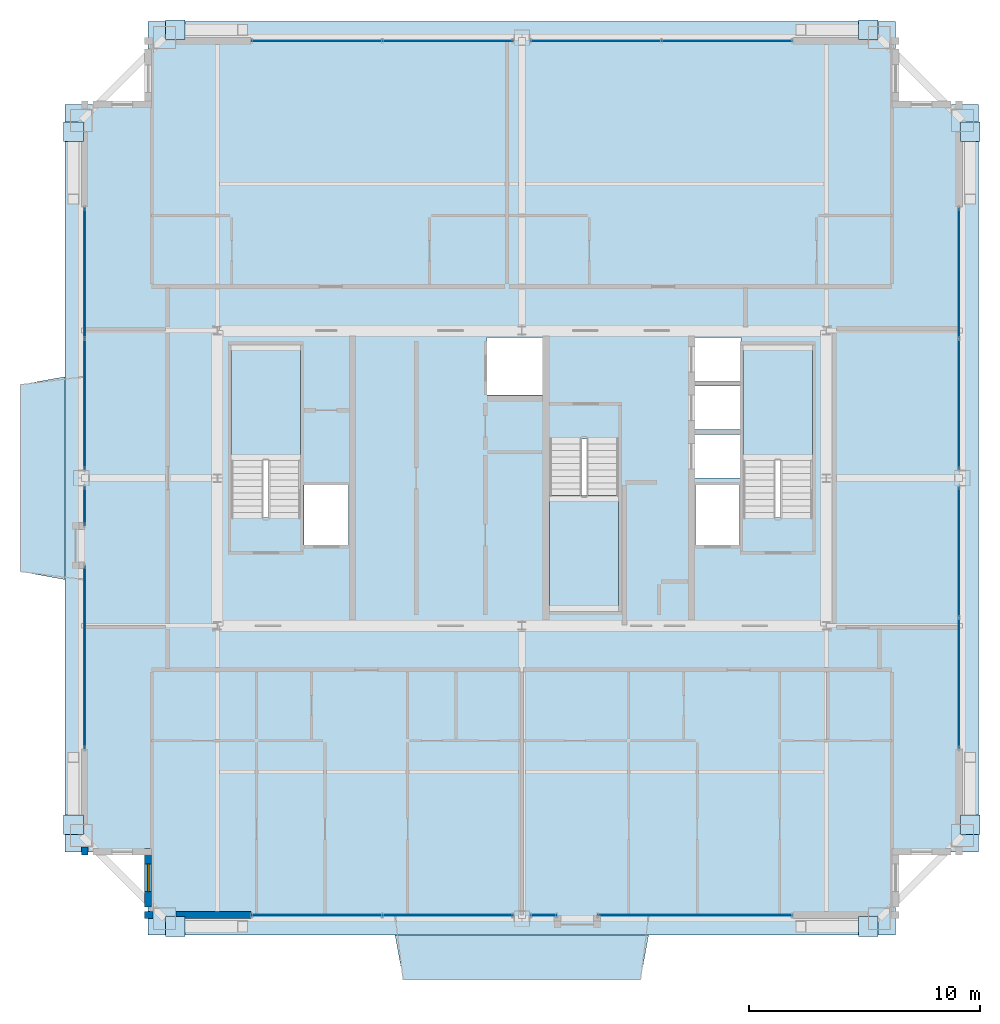
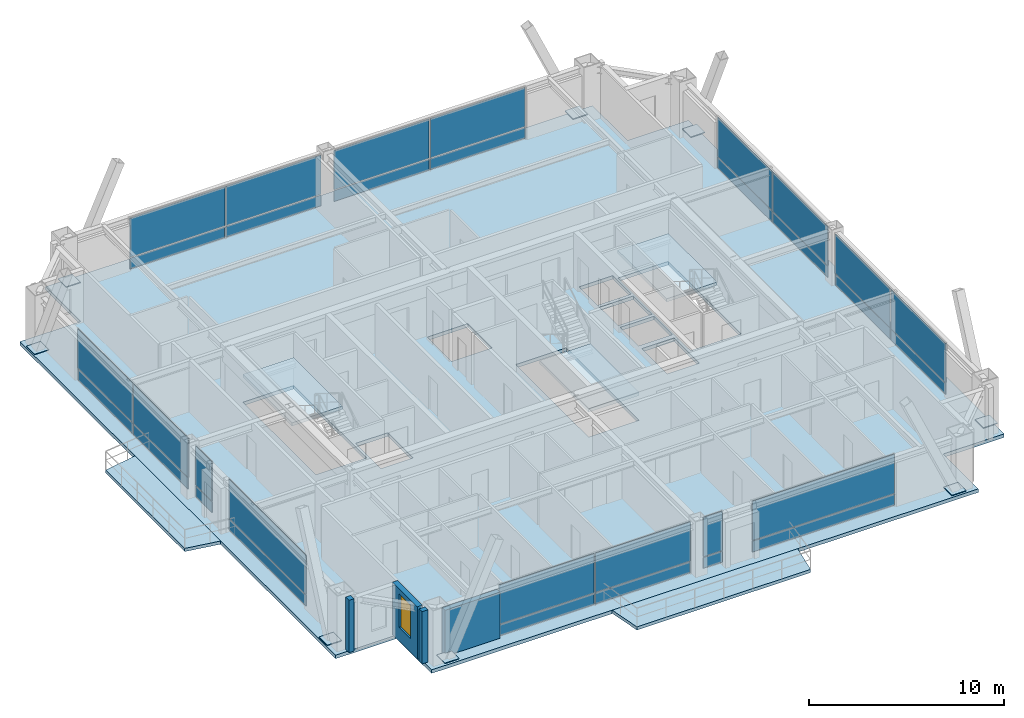
# One storey, part 27 of 33: 40 plates, 6 slabs, 4 walls, 1 window, 1 opening, 13 elements without a shape of their own.
"""IFC4 building model written with IfcOpenShell, lengths in metres."""

from ifc_helpers import new_model, si_unit, direction, frame, frame_2d, origin, origin_2d, place, context, subcontext, project, spatial, polyline, rectangle, outline, extrude, source, transform, mapped, material, layer, layer_set, type_object, element, fill, aggregate, save


model = new_model("IFC4")

# Units and contexts
model_context = context("Model", 3, precision=1e-05, world=origin(), true_north=direction((0.0, 1.0)))
body_context = subcontext(model_context, "Body", "Model", "MODEL_VIEW")
ifc_project = project(units=[si_unit("LENGTHUNIT", "METRE"), si_unit("AREAUNIT", "SQUARE_METRE"), si_unit("VOLUMEUNIT", "CUBIC_METRE"), si_unit("PLANEANGLEUNIT", "RADIAN"), si_unit("MASSUNIT", "GRAM", prefix="KILO"), si_unit("THERMODYNAMICTEMPERATUREUNIT", "KELVIN"), si_unit("POWERUNIT", "WATT")], contexts=[model_context])

# Site, building, storey
site_placement = place(None, origin())
site = spatial("IfcSite", under=ifc_project, at=site_placement, CompositionType="ELEMENT")
building_placement = place(site_placement, origin())
building = spatial("IfcBuilding", under=site, at=building_placement, Name="Yuzanri Waterfront Tower", CompositionType="ELEMENT")
storey_placement = place(building_placement, frame((0.0, 0.0, 321.699951171875)))
storey = spatial("IfcBuildingStorey", under=building, at=storey_placement, Name="L86", CompositionType="ELEMENT", Elevation=321.699951171875)

# Slabs
ifc_material_1 = material(Name="Concrete C40", Category="concrete")
ifc_layer_1 = layer(ifc_material_1, 0.199951171875)
ifc_layer_set_1 = layer_set([ifc_layer_1], Name="Concrete C40")
slab_type_1 = type_object("IfcSlabType", Name="Concrete C40 Cantilevered Engawa Wave Terrace Slab 200", PredefinedType="FLOOR", material=ifc_layer_set_1)
slab_1_placement = place(storey_placement, frame((0.0, 0.0, -0.199951171875)))
element("IfcSlab", 1, at=slab_1_placement, inside=storey, type_object=slab_type_1, Name="L86 S Cantilevered Engawa Terrace Slab", PredefinedType="FLOOR", context=body_context, shape_type="SweptSolid", body=[
    extrude(outline(polyline([(31.50341796875, 6.0), (42.49658203125, 6.0), (42.146484375, 4.06591796875), (31.853515625, 4.06591796875), (31.50341796875, 6.0)])), origin(), (0.0, 0.0, 1.0), 0.199951171875),
])
slab_2_placement = place(storey_placement, frame((0.0, 0.0, -0.199951171875)))
element("IfcSlab", 2, at=slab_2_placement, inside=storey, type_object=slab_type_1, Name="L86 W Cantilevered Engawa Terrace Slab", PredefinedType="FLOOR", context=body_context, shape_type="SweptSolid", body=[
    extrude(outline(polyline([(17.199951171875, 21.39990234375), (15.26611328125, 21.75), (15.26611328125, 29.85009765625), (17.199951171875, 30.199951171875), (17.199951171875, 21.39990234375)])), origin(), (0.0, 0.0, 1.0), 0.199951171875),
])

# Stair, slab
ifc_material_2 = material(Name="Concrete C40", Category="concrete")
stair_type = type_object("IfcStairType", Name="Concrete C40 Core Dogleg Exit Stair", PredefinedType="HALF_TURN_STAIR", material=ifc_material_2)
stair_1_placement = place(storey_placement, origin())
stair_1 = element("IfcStair", 3, at=stair_1_placement, inside=storey, type_object=stair_type, Name="L86 Smoke-Proof Core Stair ST-01", PredefinedType="HALF_TURN_STAIR")
ifc_material_3 = material(Name="Concrete C40", Category="concrete")
ifc_layer_2 = layer(ifc_material_3, 0.179931640625)
ifc_layer_set_2 = layer_set([ifc_layer_2], Name="Concrete C40")
slab_type_2 = type_object("IfcSlabType", Name="Concrete C40 Stair Half-Landing Slab 180", PredefinedType="LANDING", material=ifc_layer_set_2)
slab_3_placement = place(storey_placement, frame((0.0, 0.0, 1.550048828125)))
slab_3 = element("IfcSlab", 4, at=slab_3_placement, type_object=slab_type_2, Name="ST-01 landing 1", PredefinedType="LANDING", context=body_context, shape_type="SweptSolid", body=[
    extrude(outline(polyline([(27.39990234375, 26.56005859375), (27.39990234375, 31.580078125), (24.39990234375, 31.580078125), (24.39990234375, 26.56005859375), (27.39990234375, 26.56005859375)])), origin(), (0.0, 0.0, 1.0), 0.199951171875),
])
aggregate(stair_1, [slab_3])

stair_2_placement = place(storey_placement, origin())
stair_2 = element("IfcStair", 5, at=stair_2_placement, inside=storey, type_object=stair_type, Name="L86 Smoke-Proof Core Stair ST-02", PredefinedType="HALF_TURN_STAIR")
slab_4_placement = place(storey_placement, frame((0.0, 0.0, 1.550048828125)))
slab_4 = element("IfcSlab", 6, at=slab_4_placement, type_object=slab_type_2, Name="ST-02 landing 1", PredefinedType="LANDING", context=body_context, shape_type="SweptSolid", body=[
    extrude(outline(polyline([(49.60009765625, 26.56005859375), (49.60009765625, 31.580078125), (46.60009765625, 31.580078125), (46.60009765625, 26.56005859375), (49.60009765625, 26.56005859375)])), origin(), (0.0, 0.0, 1.0), 0.199951171875),
])
aggregate(stair_2, [slab_4])

stair_3_placement = place(storey_placement, origin())
stair_3 = element("IfcStair", 7, at=stair_3_placement, inside=storey, type_object=stair_type, Name="L86 Smoke-Proof Core Stair ST-03", PredefinedType="HALF_TURN_STAIR")
slab_5_placement = place(storey_placement, frame((0.0, 0.0, 1.550048828125)))
slab_5 = element("IfcSlab", 8, at=slab_5_placement, type_object=slab_type_2, Name="ST-03 landing 1", PredefinedType="LANDING", context=body_context, shape_type="SweptSolid", body=[
    extrude(outline(polyline([(38.199951171875, 25.0400390625), (38.199951171875, 20.02001953125), (41.199951171875, 20.02001953125), (41.199951171875, 25.0400390625), (38.199951171875, 25.0400390625)])), origin(), (0.0, 0.0, 1.0), 0.199951171875),
])
aggregate(stair_3, [slab_5])

# Slab
ifc_material_4 = material(Name="Concrete C40", Category="concrete")
ifc_layer_3 = layer(ifc_material_4, 0.219970703125)
ifc_layer_set_3 = layer_set([ifc_layer_3], Name="Concrete C40")
slab_type_3 = type_object("IfcSlabType", Name="Concrete C40 Tower Typical Structural Floor Slab 220", PredefinedType="FLOOR", material=ifc_layer_set_3)
slab_6_placement = place(storey_placement, frame((0.0, 0.0, -0.219970703125)))
element("IfcSlab", 9, at=slab_6_placement, inside=storey, type_object=slab_type_3, Name="L86 Main Structural Floor Slab", PredefinedType="FLOOR", context=body_context, shape_type="SweptSolid", body=[
    extrude(outline(polyline([(20.800048828125, 6.0), (53.199951171875, 6.0), (53.199951171875, 9.60009765625), (56.800048828125, 9.60009765625), (56.800048828125, 42.0), (53.199951171875, 42.0), (53.199951171875, 45.60009765625), (20.800048828125, 45.60009765625), (20.800048828125, 42.0), (17.199951171875, 42.0), (17.199951171875, 9.60009765625), (20.800048828125, 9.60009765625), (20.800048828125, 6.0)]), holes=[polyline([(27.39990234375, 24.10009765625), (27.39990234375, 31.580078125), (24.39990234375, 31.580078125), (24.39990234375, 24.10009765625), (27.39990234375, 24.10009765625)]), polyline([(49.60009765625, 24.10009765625), (49.60009765625, 31.580078125), (46.60009765625, 31.580078125), (46.60009765625, 24.10009765625), (49.60009765625, 24.10009765625)]), polyline([(38.199951171875, 27.5), (38.199951171875, 20.02001953125), (41.199951171875, 20.02001953125), (41.199951171875, 27.5), (38.199951171875, 27.5)]), polyline([(27.56005859375, 22.89990234375), (29.47998046875, 22.89990234375), (29.47998046875, 25.5), (27.56005859375, 25.5), (27.56005859375, 22.89990234375)]), polyline([(44.52001953125, 22.89990234375), (46.43994140625, 22.89990234375), (46.43994140625, 25.5), (44.52001953125, 25.5), (44.52001953125, 22.89990234375)]), polyline([(35.5, 29.39990234375), (37.89990234375, 29.39990234375), (37.89990234375, 31.89990234375), (35.5, 31.89990234375), (35.5, 29.39990234375)]), polyline([(44.5, 25.800048828125), (46.5, 25.800048828125), (46.5, 27.699951171875), (44.5, 27.699951171875), (44.5, 25.800048828125)]), polyline([(44.5, 27.89990234375), (46.5, 27.89990234375), (46.5, 29.800048828125), (44.5, 29.800048828125), (44.5, 27.89990234375)]), polyline([(44.5, 30.0), (46.5, 30.0), (46.5, 31.89990234375), (44.5, 31.89990234375), (44.5, 30.0)])]), origin(), (0.0, 0.0, 1.0), 0.219970703125),
])

# Plates
ifc_material_5 = material(Name="Steel Q420GJC", Category="steel")
ifc_layer_4 = layer(ifc_material_5, 0.0400390625)
ifc_layer_set_4 = layer_set([ifc_layer_4], Name="Steel Q420GJC")
plate_type_1 = type_object("IfcPlateType", Name="Steel Q420GJC Mega-Brace Gusset and End-Cap Plate 40", PredefinedType="SHEET", material=ifc_layer_set_4)
shared_shape_1 = source(origin(), body_context, "Body", "SweptSolid", [
    extrude(rectangle(XDim=0.85009765625, YDim=0.85009765625, at=origin_2d()), origin(), (0.0, 0.0, 1.0), 0.0400390625),
])
for number, where, z_axis, x_axis, name in (
    (10, (21.97998046875, 6.360107421875, 0.159912109375), (0.0, 0.0, 1.0), (1.0, 0.0, 0.0), "L86 Mega-Brace Foot Cap Plate S-L"),
    (11, (52.02001953125, 6.360107421875, 0.159912109375), (0.0, 0.0, 1.0), (1.0, 0.0, 0.0), "L86 Mega-Brace Foot Cap Plate S-R"),
    (12, (21.97998046875, 45.239990234375, 0.159912109375), (0.0, 0.0, 1.0), (1.0, 0.0, 0.0), "L86 Mega-Brace Foot Cap Plate N-L"),
    (13, (52.02001953125, 45.239990234375, 0.159912109375), (0.0, 0.0, 1.0), (1.0, 0.0, 0.0), "L86 Mega-Brace Foot Cap Plate N-R"),
    (14, (17.56005859375, 10.780029296875, 0.159912109375), (0.0, 0.0, 1.0), (1.0, 0.0, 0.0), "L86 Mega-Brace Foot Cap Plate W-L"),
    (15, (17.56005859375, 40.820068359375, 0.159912109375), (0.0, 0.0, 1.0), (1.0, 0.0, 0.0), "L86 Mega-Brace Foot Cap Plate W-R"),
    (16, (56.43994140625, 10.780029296875, 0.159912109375), (0.0, 0.0, 1.0), (1.0, 0.0, 0.0), "L86 Mega-Brace Foot Cap Plate E-L"),
    (17, (56.43994140625, 40.820068359375, 0.159912109375), (0.0, 0.0, 1.0), (1.0, 0.0, 0.0), "L86 Mega-Brace Foot Cap Plate E-R"),
):
    element("IfcPlate", number, at=place(storey_placement, frame(where, z_axis=z_axis, x_axis=x_axis)), inside=storey, type_object=plate_type_1, Name=name, PredefinedType="SHEET", context=body_context, shape_type="MappedRepresentation", body=[
        mapped(shared_shape_1, transform((0.0, 0.0, 0.0), scale=1.0)),
    ])

# Curtain wall, plates
ifc_material_6 = material(Name="Anodized Architectural Bronze", Category="metal")
ifc_layer_5 = layer(ifc_material_6, 0.159912109375)
ifc_layer_set_5 = layer_set([ifc_layer_5], Name="Anodized Architectural Bronze")
curtain_wall_type = type_object("IfcCurtainWallType", Name="Anodized Bronze High-Rise Penthouse High-Wind Unitized Curtain Wall 6900", PredefinedType="NOTDEFINED", material=ifc_layer_set_5)
curtain_wall_1_placement = place(storey_placement, origin())
curtain_wall_1 = element("IfcCurtainWall", 18, at=curtain_wall_1_placement, inside=storey, type_object=curtain_wall_type, Name="L86 Curtain Wall CW-L86-SL", PredefinedType="NOTDEFINED")
ifc_material_7 = material(Name="Anodized Architectural Bronze", Category="metal")
ifc_layer_6 = layer(ifc_material_7, 0.028076171875)
ifc_layer_set_6 = layer_set([ifc_layer_6], Name="Anodized Architectural Bronze")
plate_type_2 = type_object("IfcPlateType", Name="Bronze Insulated Spandrel Shadow-Box Panel 28", PredefinedType="CURTAIN_PANEL", material=ifc_layer_set_6)
shared_shape_2 = source(origin(), body_context, "Body", "SweptSolid", [
    extrude(rectangle(XDim=5.6201171875, YDim=0.028076171875, at=origin_2d()), origin(), (0.0, 0.0, 1.0), 0.674072265625),
])
plate_1_placement = place(storey_placement, frame((28.10009765625, 6.85009765625, 0.0498046875), z_axis=(0.0, 0.0, 1.0), x_axis=(1.0, 0.0, 0.0)))
plate_1 = element("IfcPlate", 19, at=plate_1_placement, type_object=plate_type_2, Name="CW-L86-SL Spandrel Panel 01", PredefinedType="CURTAIN_PANEL", context=body_context, shape_type="MappedRepresentation", body=[
    mapped(shared_shape_2, transform((0.0, 0.0, 0.0), scale=1.0)),
])
plate_2_placement = place(storey_placement, frame((33.800048828125, 6.85009765625, 0.0498046875), z_axis=(0.0, 0.0, 1.0), x_axis=(1.0, 0.0, 0.0)))
plate_2 = element("IfcPlate", 20, at=plate_2_placement, type_object=plate_type_2, Name="CW-L86-SL Spandrel Panel 02", PredefinedType="CURTAIN_PANEL", context=body_context, shape_type="MappedRepresentation", body=[
    mapped(shared_shape_2, transform((0.0, 0.0, 0.0), scale=1.0)),
])

curtain_wall_2_placement = place(storey_placement, origin())
curtain_wall_2 = element("IfcCurtainWall", 21, at=curtain_wall_2_placement, inside=storey, type_object=curtain_wall_type, Name="L86 Curtain Wall CW-L86-NL", PredefinedType="NOTDEFINED")
plate_3_placement = place(storey_placement, frame((28.10009765625, 44.75, 0.0498046875), z_axis=(0.0, 0.0, 1.0), x_axis=(1.0, 0.0, 0.0)))
plate_3 = element("IfcPlate", 22, at=plate_3_placement, type_object=plate_type_2, Name="CW-L86-NL Spandrel Panel 01", PredefinedType="CURTAIN_PANEL", context=body_context, shape_type="MappedRepresentation", body=[
    mapped(shared_shape_2, transform((0.0, 0.0, 0.0), scale=1.0)),
])
plate_4_placement = place(storey_placement, frame((33.800048828125, 44.75, 0.0498046875), z_axis=(0.0, 0.0, 1.0), x_axis=(1.0, 0.0, 0.0)))
plate_4 = element("IfcPlate", 23, at=plate_4_placement, type_object=plate_type_2, Name="CW-L86-NL Spandrel Panel 02", PredefinedType="CURTAIN_PANEL", context=body_context, shape_type="MappedRepresentation", body=[
    mapped(shared_shape_2, transform((0.0, 0.0, 0.0), scale=1.0)),
])

curtain_wall_3_placement = place(storey_placement, origin())
curtain_wall_3 = element("IfcCurtainWall", 24, at=curtain_wall_3_placement, inside=storey, type_object=curtain_wall_type, Name="L86 Curtain Wall CW-L86-NR", PredefinedType="NOTDEFINED")
plate_5_placement = place(storey_placement, frame((40.199951171875, 44.75, 0.0498046875), z_axis=(0.0, 0.0, 1.0), x_axis=(1.0, 0.0, 0.0)))
plate_5 = element("IfcPlate", 25, at=plate_5_placement, type_object=plate_type_2, Name="CW-L86-NR Spandrel Panel 01", PredefinedType="CURTAIN_PANEL", context=body_context, shape_type="MappedRepresentation", body=[
    mapped(shared_shape_2, transform((0.0, 0.0, 0.0), scale=1.0)),
])
plate_6_placement = place(storey_placement, frame((45.89990234375, 44.75, 0.0498046875), z_axis=(0.0, 0.0, 1.0), x_axis=(1.0, 0.0, 0.0)))
plate_6 = element("IfcPlate", 26, at=plate_6_placement, type_object=plate_type_2, Name="CW-L86-NR Spandrel Panel 02", PredefinedType="CURTAIN_PANEL", context=body_context, shape_type="MappedRepresentation", body=[
    mapped(shared_shape_2, transform((0.0, 0.0, 0.0), scale=1.0)),
])

curtain_wall_4_placement = place(storey_placement, origin())
curtain_wall_4 = element("IfcCurtainWall", 27, at=curtain_wall_4_placement, inside=storey, type_object=curtain_wall_type, Name="L86 Curtain Wall CW-L86-WR", PredefinedType="NOTDEFINED")
plate_7_placement = place(storey_placement, frame((18.050048828125, 29.0, 0.0498046875), z_axis=(0.0, 0.0, 1.0), x_axis=(0.0, 1.0, 0.0)))
plate_7 = element("IfcPlate", 28, at=plate_7_placement, type_object=plate_type_2, Name="CW-L86-WR Spandrel Panel 01", PredefinedType="CURTAIN_PANEL", context=body_context, shape_type="MappedRepresentation", body=[
    mapped(shared_shape_2, transform((0.0, 0.0, 0.0), scale=1.0)),
])
plate_8_placement = place(storey_placement, frame((18.050048828125, 34.699951171875, 0.0498046875), z_axis=(0.0, 0.0, 1.0), x_axis=(0.0, 1.0, 0.0)))
plate_8 = element("IfcPlate", 29, at=plate_8_placement, type_object=plate_type_2, Name="CW-L86-WR Spandrel Panel 02", PredefinedType="CURTAIN_PANEL", context=body_context, shape_type="MappedRepresentation", body=[
    mapped(shared_shape_2, transform((0.0, 0.0, 0.0), scale=1.0)),
])

curtain_wall_5_placement = place(storey_placement, origin())
curtain_wall_5 = element("IfcCurtainWall", 30, at=curtain_wall_5_placement, inside=storey, type_object=curtain_wall_type, Name="L86 Curtain Wall CW-L86-EL", PredefinedType="NOTDEFINED")
plate_9_placement = place(storey_placement, frame((55.949951171875, 16.89990234375, 0.0498046875), z_axis=(0.0, 0.0, 1.0), x_axis=(0.0, 1.0, 0.0)))
plate_9 = element("IfcPlate", 31, at=plate_9_placement, type_object=plate_type_2, Name="CW-L86-EL Spandrel Panel 01", PredefinedType="CURTAIN_PANEL", context=body_context, shape_type="MappedRepresentation", body=[
    mapped(shared_shape_2, transform((0.0, 0.0, 0.0), scale=1.0)),
])
plate_10_placement = place(storey_placement, frame((55.949951171875, 22.60009765625, 0.0498046875), z_axis=(0.0, 0.0, 1.0), x_axis=(0.0, 1.0, 0.0)))
plate_10 = element("IfcPlate", 32, at=plate_10_placement, type_object=plate_type_2, Name="CW-L86-EL Spandrel Panel 02", PredefinedType="CURTAIN_PANEL", context=body_context, shape_type="MappedRepresentation", body=[
    mapped(shared_shape_2, transform((0.0, 0.0, 0.0), scale=1.0)),
])

curtain_wall_6_placement = place(storey_placement, origin())
curtain_wall_6 = element("IfcCurtainWall", 33, at=curtain_wall_6_placement, inside=storey, type_object=curtain_wall_type, Name="L86 Curtain Wall CW-L86-ER", PredefinedType="NOTDEFINED")
plate_11_placement = place(storey_placement, frame((55.949951171875, 29.0, 0.0498046875), z_axis=(0.0, 0.0, 1.0), x_axis=(0.0, 1.0, 0.0)))
plate_11 = element("IfcPlate", 34, at=plate_11_placement, type_object=plate_type_2, Name="CW-L86-ER Spandrel Panel 01", PredefinedType="CURTAIN_PANEL", context=body_context, shape_type="MappedRepresentation", body=[
    mapped(shared_shape_2, transform((0.0, 0.0, 0.0), scale=1.0)),
])
plate_12_placement = place(storey_placement, frame((55.949951171875, 34.699951171875, 0.0498046875), z_axis=(0.0, 0.0, 1.0), x_axis=(0.0, 1.0, 0.0)))
plate_12 = element("IfcPlate", 35, at=plate_12_placement, type_object=plate_type_2, Name="CW-L86-ER Spandrel Panel 02", PredefinedType="CURTAIN_PANEL", context=body_context, shape_type="MappedRepresentation", body=[
    mapped(shared_shape_2, transform((0.0, 0.0, 0.0), scale=1.0)),
])

# Plate
ifc_material_8 = material(Name="Triple Low-E Laminated Insulated Glass", Category="glass")
ifc_layer_7 = layer(ifc_material_8, 0.0439453125)
ifc_layer_set_7 = layer_set([ifc_layer_7], Name="Triple Low-E Laminated Insulated Glass")
plate_type_3 = type_object("IfcPlateType", Name="Triple Glazed Acoustic Vision Glass Panel 44", PredefinedType="CURTAIN_PANEL", material=ifc_layer_set_7)
shared_shape_3 = source(origin(), body_context, "Body", "SweptSolid", [
    extrude(rectangle(XDim=5.6201171875, YDim=0.0439453125, at=origin_2d()), origin(), (0.0, 0.0, 1.0), 2.446044921875),
])
plate_13_placement = place(storey_placement, frame((28.10009765625, 6.85009765625, 0.7841796875), z_axis=(0.0, 0.0, 1.0), x_axis=(1.0, 0.0, 0.0)))
plate_13 = element("IfcPlate", 36, at=plate_13_placement, type_object=plate_type_3, Name="CW-L86-SL Vision Glass Panel 01", PredefinedType="CURTAIN_PANEL", context=body_context, shape_type="MappedRepresentation", body=[
    mapped(shared_shape_3, transform((0.0, 0.0, 0.0), scale=1.0)),
])

plate_14_placement = place(storey_placement, frame((33.800048828125, 6.85009765625, 0.7841796875), z_axis=(0.0, 0.0, 1.0), x_axis=(1.0, 0.0, 0.0)))
plate_14 = element("IfcPlate", 37, at=plate_14_placement, type_object=plate_type_3, Name="CW-L86-SL Vision Glass Panel 02", PredefinedType="CURTAIN_PANEL", context=body_context, shape_type="MappedRepresentation", body=[
    mapped(shared_shape_3, transform((0.0, 0.0, 0.0), scale=1.0)),
])

aggregate(curtain_wall_1, [plate_1, plate_13, plate_2, plate_14])

plate_15_placement = place(storey_placement, frame((28.10009765625, 44.75, 0.7841796875), z_axis=(0.0, 0.0, 1.0), x_axis=(1.0, 0.0, 0.0)))
plate_15 = element("IfcPlate", 38, at=plate_15_placement, type_object=plate_type_3, Name="CW-L86-NL Vision Glass Panel 01", PredefinedType="CURTAIN_PANEL", context=body_context, shape_type="MappedRepresentation", body=[
    mapped(shared_shape_3, transform((0.0, 0.0, 0.0), scale=1.0)),
])

plate_16_placement = place(storey_placement, frame((33.800048828125, 44.75, 0.7841796875), z_axis=(0.0, 0.0, 1.0), x_axis=(1.0, 0.0, 0.0)))
plate_16 = element("IfcPlate", 39, at=plate_16_placement, type_object=plate_type_3, Name="CW-L86-NL Vision Glass Panel 02", PredefinedType="CURTAIN_PANEL", context=body_context, shape_type="MappedRepresentation", body=[
    mapped(shared_shape_3, transform((0.0, 0.0, 0.0), scale=1.0)),
])

aggregate(curtain_wall_2, [plate_3, plate_15, plate_4, plate_16])

plate_17_placement = place(storey_placement, frame((40.199951171875, 44.75, 0.7841796875), z_axis=(0.0, 0.0, 1.0), x_axis=(1.0, 0.0, 0.0)))
plate_17 = element("IfcPlate", 40, at=plate_17_placement, type_object=plate_type_3, Name="CW-L86-NR Vision Glass Panel 01", PredefinedType="CURTAIN_PANEL", context=body_context, shape_type="MappedRepresentation", body=[
    mapped(shared_shape_3, transform((0.0, 0.0, 0.0), scale=1.0)),
])

plate_18_placement = place(storey_placement, frame((45.89990234375, 44.75, 0.7841796875), z_axis=(0.0, 0.0, 1.0), x_axis=(1.0, 0.0, 0.0)))
plate_18 = element("IfcPlate", 41, at=plate_18_placement, type_object=plate_type_3, Name="CW-L86-NR Vision Glass Panel 02", PredefinedType="CURTAIN_PANEL", context=body_context, shape_type="MappedRepresentation", body=[
    mapped(shared_shape_3, transform((0.0, 0.0, 0.0), scale=1.0)),
])

aggregate(curtain_wall_3, [plate_5, plate_17, plate_6, plate_18])

plate_19_placement = place(storey_placement, frame((18.050048828125, 29.0, 0.7841796875), z_axis=(0.0, 0.0, 1.0), x_axis=(0.0, 1.0, 0.0)))
plate_19 = element("IfcPlate", 42, at=plate_19_placement, type_object=plate_type_3, Name="CW-L86-WR Vision Glass Panel 01", PredefinedType="CURTAIN_PANEL", context=body_context, shape_type="MappedRepresentation", body=[
    mapped(shared_shape_3, transform((0.0, 0.0, 0.0), scale=1.0)),
])

plate_20_placement = place(storey_placement, frame((18.050048828125, 34.699951171875, 0.7841796875), z_axis=(0.0, 0.0, 1.0), x_axis=(0.0, 1.0, 0.0)))
plate_20 = element("IfcPlate", 43, at=plate_20_placement, type_object=plate_type_3, Name="CW-L86-WR Vision Glass Panel 02", PredefinedType="CURTAIN_PANEL", context=body_context, shape_type="MappedRepresentation", body=[
    mapped(shared_shape_3, transform((0.0, 0.0, 0.0), scale=1.0)),
])

aggregate(curtain_wall_4, [plate_7, plate_19, plate_8, plate_20])

plate_21_placement = place(storey_placement, frame((55.949951171875, 16.89990234375, 0.7841796875), z_axis=(0.0, 0.0, 1.0), x_axis=(0.0, 1.0, 0.0)))
plate_21 = element("IfcPlate", 44, at=plate_21_placement, type_object=plate_type_3, Name="CW-L86-EL Vision Glass Panel 01", PredefinedType="CURTAIN_PANEL", context=body_context, shape_type="MappedRepresentation", body=[
    mapped(shared_shape_3, transform((0.0, 0.0, 0.0), scale=1.0)),
])

plate_22_placement = place(storey_placement, frame((55.949951171875, 22.60009765625, 0.7841796875), z_axis=(0.0, 0.0, 1.0), x_axis=(0.0, 1.0, 0.0)))
plate_22 = element("IfcPlate", 45, at=plate_22_placement, type_object=plate_type_3, Name="CW-L86-EL Vision Glass Panel 02", PredefinedType="CURTAIN_PANEL", context=body_context, shape_type="MappedRepresentation", body=[
    mapped(shared_shape_3, transform((0.0, 0.0, 0.0), scale=1.0)),
])

aggregate(curtain_wall_5, [plate_9, plate_21, plate_10, plate_22])

plate_23_placement = place(storey_placement, frame((55.949951171875, 29.0, 0.7841796875), z_axis=(0.0, 0.0, 1.0), x_axis=(0.0, 1.0, 0.0)))
plate_23 = element("IfcPlate", 46, at=plate_23_placement, type_object=plate_type_3, Name="CW-L86-ER Vision Glass Panel 01", PredefinedType="CURTAIN_PANEL", context=body_context, shape_type="MappedRepresentation", body=[
    mapped(shared_shape_3, transform((0.0, 0.0, 0.0), scale=1.0)),
])

plate_24_placement = place(storey_placement, frame((55.949951171875, 34.699951171875, 0.7841796875), z_axis=(0.0, 0.0, 1.0), x_axis=(0.0, 1.0, 0.0)))
plate_24 = element("IfcPlate", 47, at=plate_24_placement, type_object=plate_type_3, Name="CW-L86-ER Vision Glass Panel 02", PredefinedType="CURTAIN_PANEL", context=body_context, shape_type="MappedRepresentation", body=[
    mapped(shared_shape_3, transform((0.0, 0.0, 0.0), scale=1.0)),
])

aggregate(curtain_wall_6, [plate_11, plate_23, plate_12, plate_24])

# Curtain wall, plates
curtain_wall_7_placement = place(storey_placement, origin())
curtain_wall_7 = element("IfcCurtainWall", 48, at=curtain_wall_7_placement, inside=storey, type_object=curtain_wall_type, Name="L86 Curtain Wall CW-L86-WL1", PredefinedType="NOTDEFINED")
shared_shape_4 = source(origin(), body_context, "Body", "SweptSolid", [
    extrude(rectangle(XDim=7.89501953125, YDim=0.028076171875, at=origin_2d()), origin(), (0.0, 0.0, 1.0), 0.674072265625),
])
plate_25_placement = place(storey_placement, frame((18.050048828125, 18.03759765625, 0.0498046875), z_axis=(0.0, 0.0, 1.0), x_axis=(0.0, 1.0, 0.0)))
plate_25 = element("IfcPlate", 49, at=plate_25_placement, type_object=plate_type_2, Name="CW-L86-WL1 Spandrel Panel 01", PredefinedType="CURTAIN_PANEL", context=body_context, shape_type="MappedRepresentation", body=[
    mapped(shared_shape_4, transform((0.0, 0.0, 0.0), scale=1.0)),
])
shared_shape_5 = source(origin(), body_context, "Body", "SweptSolid", [
    extrude(rectangle(XDim=7.89501953125, YDim=0.0439453125, at=origin_2d()), origin(), (0.0, 0.0, 1.0), 2.446044921875),
])
plate_26_placement = place(storey_placement, frame((18.050048828125, 18.03759765625, 0.7841796875), z_axis=(0.0, 0.0, 1.0), x_axis=(0.0, 1.0, 0.0)))
plate_26 = element("IfcPlate", 50, at=plate_26_placement, type_object=plate_type_3, Name="CW-L86-WL1 Vision Glass Panel 01", PredefinedType="CURTAIN_PANEL", context=body_context, shape_type="MappedRepresentation", body=[
    mapped(shared_shape_5, transform((0.0, 0.0, 0.0), scale=1.0)),
])
aggregate(curtain_wall_7, [plate_25, plate_26])

curtain_wall_8_placement = place(storey_placement, origin())
curtain_wall_8 = element("IfcCurtainWall", 51, at=curtain_wall_8_placement, inside=storey, type_object=curtain_wall_type, Name="L86 Curtain Wall CW-L86-WL2", PredefinedType="NOTDEFINED")
shared_shape_6 = source(origin(), body_context, "Body", "SweptSolid", [
    extrude(rectangle(XDim=1.64501953125, YDim=0.028076171875, at=origin_2d()), origin(), (0.0, 0.0, 1.0), 0.674072265625),
])
plate_27_placement = place(storey_placement, frame((18.050048828125, 24.58740234375, 0.0498046875), z_axis=(0.0, 0.0, 1.0), x_axis=(0.0, 1.0, 0.0)))
plate_27 = element("IfcPlate", 52, at=plate_27_placement, type_object=plate_type_2, Name="CW-L86-WL2 Spandrel Panel 01", PredefinedType="CURTAIN_PANEL", context=body_context, shape_type="MappedRepresentation", body=[
    mapped(shared_shape_6, transform((0.0, 0.0, 0.0), scale=1.0)),
])
shared_shape_7 = source(origin(), body_context, "Body", "SweptSolid", [
    extrude(rectangle(XDim=1.64501953125, YDim=0.0439453125, at=origin_2d()), origin(), (0.0, 0.0, 1.0), 2.446044921875),
])
plate_28_placement = place(storey_placement, frame((18.050048828125, 24.58740234375, 0.7841796875), z_axis=(0.0, 0.0, 1.0), x_axis=(0.0, 1.0, 0.0)))
plate_28 = element("IfcPlate", 53, at=plate_28_placement, type_object=plate_type_3, Name="CW-L86-WL2 Vision Glass Panel 01", PredefinedType="CURTAIN_PANEL", context=body_context, shape_type="MappedRepresentation", body=[
    mapped(shared_shape_7, transform((0.0, 0.0, 0.0), scale=1.0)),
])
aggregate(curtain_wall_8, [plate_27, plate_28])

curtain_wall_9_placement = place(storey_placement, origin())
curtain_wall_9 = element("IfcCurtainWall", 54, at=curtain_wall_9_placement, inside=storey, type_object=curtain_wall_type, Name="L86 Curtain Wall CW-L86-SR1", PredefinedType="NOTDEFINED")
shared_shape_8 = source(origin(), body_context, "Body", "SweptSolid", [
    extrude(rectangle(XDim=1.1201171875, YDim=0.028076171875, at=origin_2d()), origin(), (0.0, 0.0, 1.0), 0.674072265625),
])
plate_29_placement = place(storey_placement, frame((37.949951171875, 6.85009765625, 0.0498046875), z_axis=(0.0, 0.0, 1.0), x_axis=(1.0, 0.0, 0.0)))
plate_29 = element("IfcPlate", 55, at=plate_29_placement, type_object=plate_type_2, Name="CW-L86-SR1 Spandrel Panel 01", PredefinedType="CURTAIN_PANEL", context=body_context, shape_type="MappedRepresentation", body=[
    mapped(shared_shape_8, transform((0.0, 0.0, 0.0), scale=1.0)),
])
shared_shape_9 = source(origin(), body_context, "Body", "SweptSolid", [
    extrude(rectangle(XDim=1.1201171875, YDim=0.0439453125, at=origin_2d()), origin(), (0.0, 0.0, 1.0), 2.446044921875),
])
plate_30_placement = place(storey_placement, frame((37.949951171875, 6.85009765625, 0.7841796875), z_axis=(0.0, 0.0, 1.0), x_axis=(1.0, 0.0, 0.0)))
plate_30 = element("IfcPlate", 56, at=plate_30_placement, type_object=plate_type_3, Name="CW-L86-SR1 Vision Glass Panel 01", PredefinedType="CURTAIN_PANEL", context=body_context, shape_type="MappedRepresentation", body=[
    mapped(shared_shape_9, transform((0.0, 0.0, 0.0), scale=1.0)),
])
aggregate(curtain_wall_9, [plate_29, plate_30])

curtain_wall_10_placement = place(storey_placement, origin())
curtain_wall_10 = element("IfcCurtainWall", 57, at=curtain_wall_10_placement, inside=storey, type_object=curtain_wall_type, Name="L86 Curtain Wall CW-L86-SR2", PredefinedType="NOTDEFINED")
shared_shape_10 = source(origin(), body_context, "Body", "SweptSolid", [
    extrude(rectangle(XDim=8.419921875, YDim=0.028076171875, at=origin_2d()), origin(), (0.0, 0.0, 1.0), 0.674072265625),
])
plate_31_placement = place(storey_placement, frame((44.5, 6.85009765625, 0.0498046875), z_axis=(0.0, 0.0, 1.0), x_axis=(1.0, 0.0, 0.0)))
plate_31 = element("IfcPlate", 58, at=plate_31_placement, type_object=plate_type_2, Name="CW-L86-SR2 Spandrel Panel 01", PredefinedType="CURTAIN_PANEL", context=body_context, shape_type="MappedRepresentation", body=[
    mapped(shared_shape_10, transform((0.0, 0.0, 0.0), scale=1.0)),
])
shared_shape_11 = source(origin(), body_context, "Body", "SweptSolid", [
    extrude(rectangle(XDim=8.419921875, YDim=0.0439453125, at=origin_2d()), origin(), (0.0, 0.0, 1.0), 2.446044921875),
])
plate_32_placement = place(storey_placement, frame((44.5, 6.85009765625, 0.7841796875), z_axis=(0.0, 0.0, 1.0), x_axis=(1.0, 0.0, 0.0)))
plate_32 = element("IfcPlate", 59, at=plate_32_placement, type_object=plate_type_3, Name="CW-L86-SR2 Vision Glass Panel 01", PredefinedType="CURTAIN_PANEL", context=body_context, shape_type="MappedRepresentation", body=[
    mapped(shared_shape_11, transform((0.0, 0.0, 0.0), scale=1.0)),
])
aggregate(curtain_wall_10, [plate_31, plate_32])

# Wall, opening, window
ifc_material_9 = material(Name="Honed Chongqing Dark Basalt Stone", Category="masonry")
ifc_layer_8 = layer(ifc_material_9, 0.300048828125)
ifc_layer_set_8 = layer_set([ifc_layer_8], Name="Honed Chongqing Dark Basalt Stone")
wall_type = type_object("IfcWallType", Name="Bronze Rainscreen Insulated Spandrel Portal Wall 300", PredefinedType="SOLIDWALL", material=ifc_layer_set_8)
wall_1_placement = place(storey_placement, frame((20.800048828125, 9.75, 0.0), z_axis=(0.0, 0.0, 1.0), x_axis=(0.0, -1.0, 0.0)))
wall_1 = element("IfcWall", 60, at=wall_1_placement, inside=storey, type_object=wall_type, Name="L86 Notched Corner Masonry Wall SW-Y", PredefinedType="SOLIDWALL", context=body_context, shape_type="SweptSolid", body=[
    extrude(rectangle(XDim=2.550048828125, YDim=0.300048828125, at=frame_2d((1.27490234375, 0.0))), origin(), (0.0, 0.0, 1.0), 3.280029296875),
])
opening_placement = place(wall_1_placement, frame((0.675048828125, 0.0, 0.85009765625)))
opening = element("IfcOpeningElement", 61, at=opening_placement, cuts=wall_1, Name="Opening WN-02", PredefinedType="OPENING", context=body_context, shape_type="SweptSolid", body=[
    extrude(rectangle(XDim=1.199951171875, YDim=2.10009765625, at=frame_2d((0.60009765625, 1.050048828125))), frame((0.0, 0.1650390625, 0.0), z_axis=(0.0, -1.0, 0.0), x_axis=(1.0, 0.0, 0.0)), (0.0, 0.0, 1.0), 0.329833984375),
])
ifc_material_10 = material(Name="Double-Silver Low-E Insulated Glass", Category="glass")
window_type = type_object("IfcWindowType", Name="Anodized Bronze Notched Corner Deep-Set Slot Window 1200x2100", PartitioningType="SINGLE_PANEL", PredefinedType="WINDOW", material=ifc_material_10)
shared_shape_12 = source(origin(), body_context, "Body", "SweptSolid", [
    extrude(rectangle(XDim=1.199951171875, YDim=2.10009765625, at=frame_2d((0.60009765625, 1.050048828125))), frame((0.0, 0.030029296875, 0.0), z_axis=(0.0, -1.0, 0.0), x_axis=(1.0, 0.0, 0.0)), (0.0, 0.0, 1.0), 0.06005859375),
])
window_placement = place(opening_placement, origin())
window = element("IfcWindow", 62, at=window_placement, inside=storey, type_object=window_type, Name="L86 Notched Corner Window SW-Y", OverallHeight=2.10009765625, OverallWidth=1.199951171875, PartitioningType="SINGLE_PANEL", PredefinedType="WINDOW", context=body_context, shape_type="MappedRepresentation", body=[
    mapped(shared_shape_12, transform((0.0, 0.0, 0.0), scale=1.0)),
])
fill(opening, window)

# Walls
shared_shape_13 = source(origin(), body_context, "Body", "SweptSolid", [
    extrude(rectangle(XDim=3.25, YDim=0.300048828125, at=frame_2d((1.625, 0.0))), origin(), (0.0, 0.0, 1.0), 2.885009765625),
])
wall_2_placement = place(storey_placement, frame((22.0, 6.85009765625, 0.0), z_axis=(0.0, 0.0, 1.0), x_axis=(1.0, 0.0, 0.0)))
element("IfcWall", 63, at=wall_2_placement, inside=storey, type_object=wall_type, Name="L86 S Left Braced Masonry Shoulder", PredefinedType="SOLIDWALL", context=body_context, shape_type="MappedRepresentation", body=[
    mapped(shared_shape_13, transform((0.0, 0.0, 0.0), scale=1.0)),
])
shared_shape_14 = source(origin(), body_context, "Body", "SweptSolid", [
    extrude(rectangle(XDim=0.35009765625, YDim=0.300048828125, at=frame_2d((0.175048828125, 0.0))), origin(), (0.0, 0.0, 1.0), 3.280029296875),
])
for number, where, z_axis, x_axis, name in (
    (64, (20.64990234375, 6.85009765625, 0.0), (0.0, 0.0, 1.0), (1.0, 0.0, 0.0), "L86 Corner Column Shoulder Return CSW"),
    (65, (18.050048828125, 9.449951171875, 0.0), (0.0, 0.0, 1.0), (0.0, 1.0, 0.0), "L86 Corner Column Shoulder Return CWS"),
):
    element("IfcWall", number, at=place(storey_placement, frame(where, z_axis=z_axis, x_axis=x_axis)), inside=storey, type_object=wall_type, Name=name, PredefinedType="SOLIDWALL", context=body_context, shape_type="MappedRepresentation", body=[
        mapped(shared_shape_14, transform((0.0, 0.0, 0.0), scale=1.0)),
    ])

save(model, "model.ifc")
